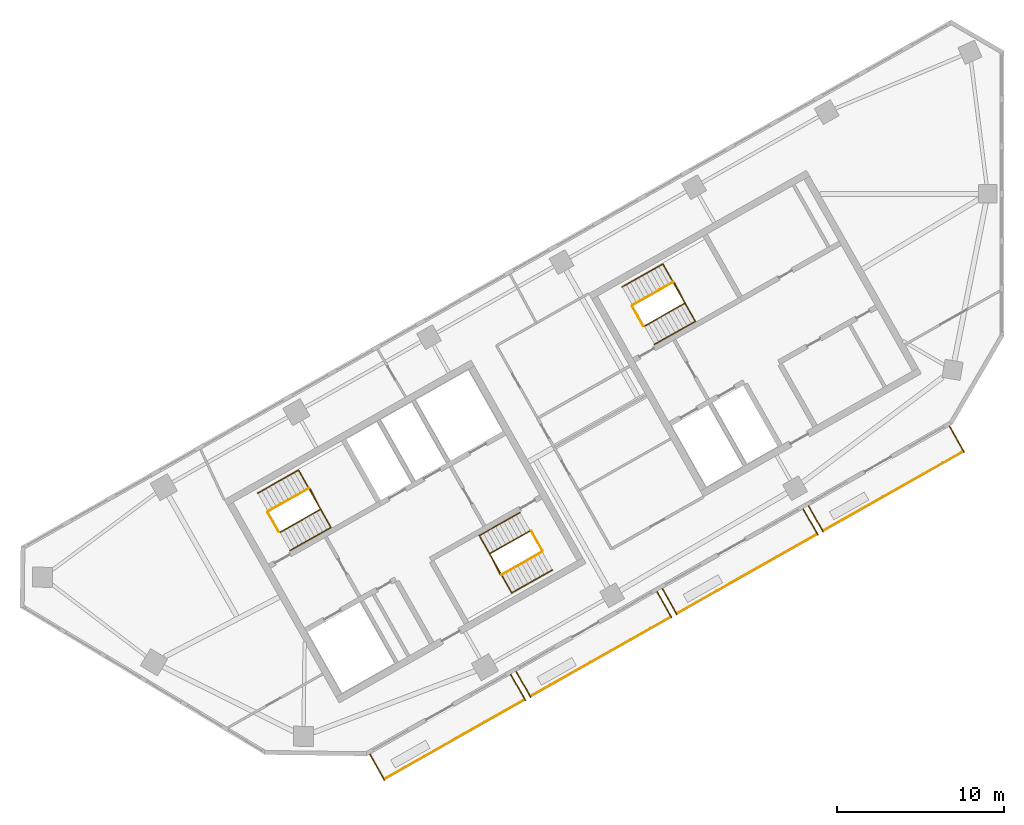
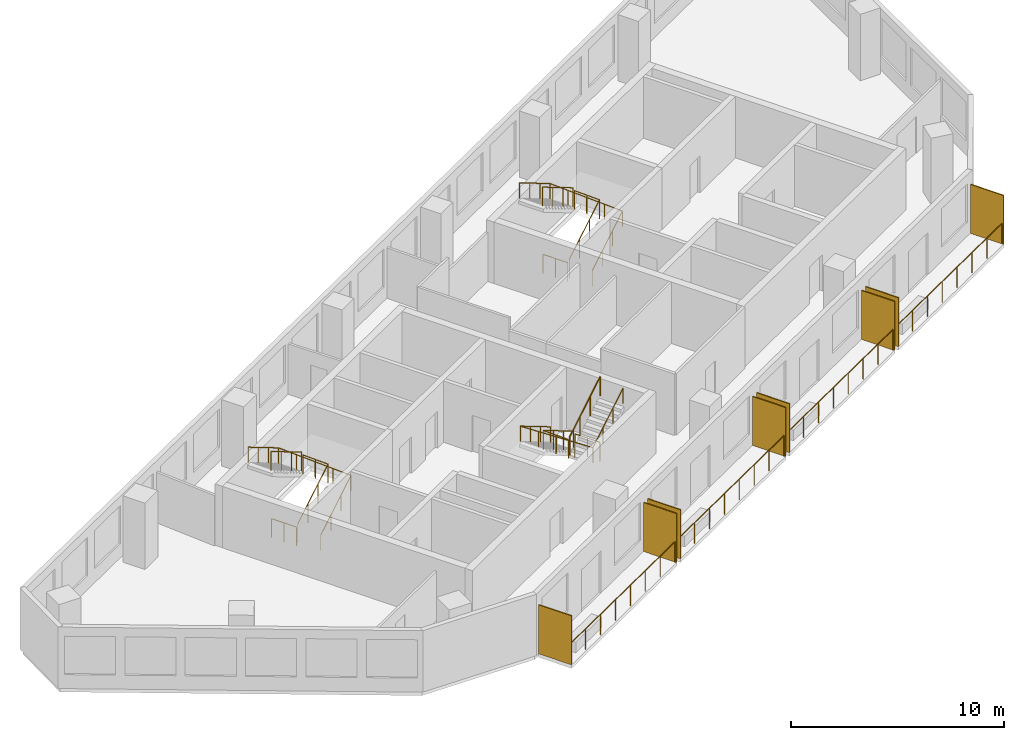
# One storey, part 6 of 7: 16 railings, 8 shading devices.
"""IFC4 building model written with IfcOpenShell, lengths in metres."""

from ifc_helpers import new_model, si_unit, direction, frame, origin, origin_2d, place, context, subcontext, project, spatial, rectangle, circle, extrude, material, layer, layer_set, type_object, element, save


model = new_model("IFC4")

# Units and contexts
model_context = context("Model", 3, precision=1e-05, world=origin(), true_north=direction((0.0, 1.0)))
body_context = subcontext(model_context, "Body", "Model", "MODEL_VIEW")
ifc_project = project(units=[si_unit("LENGTHUNIT", "METRE"), si_unit("AREAUNIT", "SQUARE_METRE"), si_unit("VOLUMEUNIT", "CUBIC_METRE"), si_unit("PLANEANGLEUNIT", "RADIAN"), si_unit("MASSUNIT", "GRAM", prefix="KILO")], contexts=[model_context])

# Site, building, storey
site_placement = place(None, origin())
site = spatial("IfcSite", under=ifc_project, at=site_placement, CompositionType="ELEMENT")
building_placement = place(site_placement, origin())
building = spatial("IfcBuilding", under=site, at=building_placement, Name="Binnacle Exchange Tower", CompositionType="ELEMENT")
storey_placement = place(building_placement, frame((0.0, 0.0, 274.10009765625)))
storey = spatial("IfcBuildingStorey", under=building, at=storey_placement, Name="L61", CompositionType="ELEMENT", Elevation=274.10009765625)

# Railings
ifc_material_1 = material(Name="Bronze anodised aluminium frame", Category="aluminium")
railing_type_1 = type_object("IfcRailingType", Name="GUARD 1200", PredefinedType="GUARDRAIL", material=ifc_material_1)
for number, where, name in (
    (1, (-37.006591796875, 24.94287109375, 0.0), "Balcony guard H07-B00 L61"),
    (2, (-28.24365234375, 29.900634765625, 0.0), "Balcony guard H07-B01 L61"),
):
    element("IfcRailing", number, at=place(storey_placement, frame(where)), inside=storey, type_object=railing_type_1, Name=name, PredefinedType="GUARDRAIL", context=body_context, shape_type="SweptSolid", body=[
        extrude(circle(Radius=0.02392578125, at=origin_2d()), frame((0.0, 0.0, 1.17578125), z_axis=(0.870359171481, 0.492417417055, 0.0), x_axis=(-0.492417417055, 0.870359171481, 0.0)), (0.0, 0.0, 1.0), 9.648193359375),
        extrude(circle(Radius=0.02099609375, at=origin_2d()), origin(), (0.0, 0.0, 1.0), 1.15185546875),
        extrude(circle(Radius=0.02099609375, at=origin_2d()), frame((1.19970703125, 0.6787109375, 0.0)), (0.0, 0.0, 1.0), 1.15185546875),
        extrude(circle(Radius=0.02099609375, at=origin_2d()), frame((2.399169921875, 1.357421875, 0.0)), (0.0, 0.0, 1.0), 1.15185546875),
        extrude(circle(Radius=0.02099609375, at=origin_2d()), frame((3.598876953125, 2.0361328125, 0.0)), (0.0, 0.0, 1.0), 1.15185546875),
        extrude(circle(Radius=0.02099609375, at=origin_2d()), frame((4.798583984375, 2.71484375, 0.0)), (0.0, 0.0, 1.0), 1.15185546875),
        extrude(circle(Radius=0.02099609375, at=origin_2d()), frame((5.998291015625, 3.3935546875, 0.0)), (0.0, 0.0, 1.0), 1.15185546875),
        extrude(circle(Radius=0.02099609375, at=origin_2d()), frame((7.19775390625, 4.072265625, 0.0)), (0.0, 0.0, 1.0), 1.15185546875),
        extrude(circle(Radius=0.02099609375, at=origin_2d()), frame((8.3974609375, 4.7509765625, 0.0)), (0.0, 0.0, 1.0), 1.15185546875),
    ])
railing_1_placement = place(storey_placement, frame((-19.480712890625, 34.8583984375, 0.0)))
element("IfcRailing", 3, at=railing_1_placement, inside=storey, type_object=railing_type_1, Name="Balcony guard H07-B02 L61", PredefinedType="GUARDRAIL", context=body_context, shape_type="SweptSolid", body=[
    extrude(circle(Radius=0.02392578125, at=origin_2d()), frame((0.0, 0.0, 1.17578125), z_axis=(0.870342190373, 0.492447430349, 0.0), x_axis=(-0.492447430349, 0.870342190373, 0.0)), (0.0, 0.0, 1.0), 9.648193359375),
    extrude(circle(Radius=0.02099609375, at=origin_2d()), origin(), (0.0, 0.0, 1.0), 1.15185546875),
    extrude(circle(Radius=0.02099609375, at=origin_2d()), frame((1.19970703125, 0.6787109375, 0.0)), (0.0, 0.0, 1.0), 1.15185546875),
    extrude(circle(Radius=0.02099609375, at=origin_2d()), frame((2.399169921875, 1.357421875, 0.0)), (0.0, 0.0, 1.0), 1.15185546875),
    extrude(circle(Radius=0.02099609375, at=origin_2d()), frame((3.598876953125, 2.0361328125, 0.0)), (0.0, 0.0, 1.0), 1.15185546875),
    extrude(circle(Radius=0.02099609375, at=origin_2d()), frame((4.79833984375, 2.715087890625, 0.0)), (0.0, 0.0, 1.0), 1.15185546875),
    extrude(circle(Radius=0.02099609375, at=origin_2d()), frame((5.998046875, 3.393798828125, 0.0)), (0.0, 0.0, 1.0), 1.15185546875),
    extrude(circle(Radius=0.02099609375, at=origin_2d()), frame((7.197509765625, 4.072509765625, 0.0)), (0.0, 0.0, 1.0), 1.15185546875),
    extrude(circle(Radius=0.02099609375, at=origin_2d()), frame((8.397216796875, 4.751220703125, 0.0)), (0.0, 0.0, 1.0), 1.15185546875),
])
railing_2_placement = place(storey_placement, frame((-10.7177734375, 39.81640625, 0.0)))
element("IfcRailing", 4, at=railing_2_placement, inside=storey, type_object=railing_type_1, Name="Balcony guard H07-B03 L61", PredefinedType="GUARDRAIL", context=body_context, shape_type="SweptSolid", body=[
    extrude(circle(Radius=0.02392578125, at=origin_2d()), frame((0.0, 0.0, 1.17578125), z_axis=(0.870353035673, 0.492428262079, 0.0), x_axis=(-0.492428262079, 0.870353035673, 0.0)), (0.0, 0.0, 1.0), 9.64794921875),
    extrude(circle(Radius=0.02099609375, at=origin_2d()), origin(), (0.0, 0.0, 1.0), 1.15185546875),
    extrude(circle(Radius=0.02099609375, at=origin_2d()), frame((1.19970703125, 0.6787109375, 0.0)), (0.0, 0.0, 1.0), 1.15185546875),
    extrude(circle(Radius=0.02099609375, at=origin_2d()), frame((2.399169921875, 1.357421875, 0.0)), (0.0, 0.0, 1.0), 1.15185546875),
    extrude(circle(Radius=0.02099609375, at=origin_2d()), frame((3.598876953125, 2.0361328125, 0.0)), (0.0, 0.0, 1.0), 1.15185546875),
    extrude(circle(Radius=0.02099609375, at=origin_2d()), frame((4.79833984375, 2.71484375, 0.0)), (0.0, 0.0, 1.0), 1.15185546875),
    extrude(circle(Radius=0.02099609375, at=origin_2d()), frame((5.998046875, 3.3935546875, 0.0)), (0.0, 0.0, 1.0), 1.15185546875),
    extrude(circle(Radius=0.02099609375, at=origin_2d()), frame((7.197509765625, 4.072265625, 0.0)), (0.0, 0.0, 1.0), 1.15185546875),
    extrude(circle(Radius=0.02099609375, at=origin_2d()), frame((8.397216796875, 4.7509765625, 0.0)), (0.0, 0.0, 1.0), 1.15185546875),
])

# Shading devices
ifc_material_2 = material(Name="Bronze aluminium louvre", Category="aluminium")
ifc_layer = layer(ifc_material_2, 0.06005859375)
ifc_layer_set = layer_set([ifc_layer], Name="PLANTED SCREEN 60x2800")
shading_device_type = type_object("IfcShadingDeviceType", Name="PLANTED SCREEN 60x2800", PredefinedType="USERDEFINED", material=ifc_layer_set)
for number, where, z_axis, x_axis, name in (
    (5, (-37.436279296875, 25.641845703125, 0.0), (0.0, 0.0, 1.0), (0.87035569594, 0.492423560103, 0.0), "Planted screen H07-B00a L61"),
    (6, (-28.98681640625, 30.42236328125, 0.0), (0.0, 0.0, 1.0), (0.87035569594, 0.492423560103, 0.0), "Planted screen H07-B00b L61"),
    (7, (-28.673583984375, 30.599609375, 0.0), (0.0, 0.0, 1.0), (0.87035569594, 0.492423560103, 0.0), "Planted screen H07-B01a L61"),
    (8, (-20.223876953125, 35.380126953125, 0.0), (0.0, 0.0, 1.0), (0.87035569594, 0.492423560103, 0.0), "Planted screen H07-B01b L61"),
    (9, (-19.91064453125, 35.5576171875, 0.0), (0.0, 0.0, 1.0), (0.87035569594, 0.492423560103, 0.0), "Planted screen H07-B02a L61"),
    (10, (-11.461181640625, 40.337890625, 0.0), (0.0, 0.0, 1.0), (0.87035569594, 0.492423560103, 0.0), "Planted screen H07-B02b L61"),
    (11, (-11.147705078125, 40.51513671875, 0.0), (0.0, 0.0, 1.0), (0.87035569594, 0.492423560103, 0.0), "Planted screen H07-B03a L61"),
    (12, (-2.697998046875, 45.2958984375, 0.0), (0.0, 0.0, 1.0), (0.87035569594, 0.492423560103, 0.0), "Planted screen H07-B03b L61"),
):
    element("IfcShadingDevice", number, at=place(storey_placement, frame(where, z_axis=z_axis, x_axis=x_axis)), inside=storey, type_object=shading_device_type, Name=name, ObjectType="SCREEN", PredefinedType="USERDEFINED", context=body_context, shape_type="SweptSolid", body=[
        extrude(rectangle(XDim=0.06005859375, YDim=1.800048828125, at=origin_2d()), origin(), (0.0, 0.0, 1.0), 2.800048828125),
    ])

# Railings
ifc_material_3 = material(Name="Steel guard rail", Category="steel")
railing_type_2 = type_object("IfcRailingType", Name="STAIR GUARD 1100", PredefinedType="GUARDRAIL", material=ifc_material_3)
railing_3_placement = place(storey_placement, frame((-43.26171875, 39.71728515625, 0.172607421875)))
element("IfcRailing", 13, at=railing_3_placement, inside=storey, type_object=railing_type_2, Name="L61 STA1 stair guard 1", PredefinedType="GUARDRAIL", context=body_context, shape_type="SweptSolid", body=[
    extrude(circle(Radius=0.02392578125, at=origin_2d()), frame((0.0, 0.0, 1.076171875), z_axis=(0.740737961854, 0.419123222656, 0.525017138862), x_axis=(-0.492453686477, 0.870338650569, 0.0)), (0.0, 0.0, 1.0), 3.2900390625),
    extrude(circle(Radius=0.02392578125, at=origin_2d()), frame((2.43701171875, 1.37890625, 2.80322265625), z_axis=(-0.461100321709, 0.887348011391, 0.0), x_axis=(-0.887348011391, -0.461100321709, 0.0)), (0.0, 0.0, 1.0), 1.40087890625),
    extrude(circle(Radius=0.02099609375, at=origin_2d()), origin(), (0.0, 0.0, 1.0), 1.052001953125),
    extrude(circle(Radius=0.02099609375, at=origin_2d()), frame((0.812255859375, 0.459716796875, 0.57568359375)), (0.0, 0.0, 1.0), 1.052001953125),
    extrude(circle(Radius=0.02099609375, at=origin_2d()), frame((1.624755859375, 0.919189453125, 1.151611328125)), (0.0, 0.0, 1.0), 1.052001953125),
    extrude(circle(Radius=0.02099609375, at=origin_2d()), frame((2.43701171875, 1.37890625, 1.727294921875)), (0.0, 0.0, 1.0), 1.052001953125),
    extrude(circle(Radius=0.02099609375, at=origin_2d()), frame((2.114013671875, 2.00048828125, 1.727294921875)), (0.0, 0.0, 1.0), 1.052001953125),
    extrude(circle(Radius=0.02099609375, at=origin_2d()), frame((1.791015625, 2.6220703125, 1.727294921875)), (0.0, 0.0, 1.0), 1.052001953125),
])
railing_4_placement = place(storey_placement, frame((-41.538818359375, 42.358154296875, 2.072509765625)))
element("IfcRailing", 14, at=railing_4_placement, inside=storey, type_object=railing_type_2, Name="L61 STA1 stair guard 2", PredefinedType="GUARDRAIL", context=body_context, shape_type="SweptSolid", body=[
    extrude(circle(Radius=0.02392578125, at=origin_2d()), frame((0.0, 0.0, 1.076171875), z_axis=(-0.740737961854, -0.419123222656, 0.525017138862), x_axis=(0.492453686477, -0.870338650569, 0.0)), (0.0, 0.0, 1.0), 3.2900390625),
    extrude(circle(Radius=0.02099609375, at=origin_2d()), origin(), (0.0, 0.0, 1.0), 1.052001953125),
    extrude(circle(Radius=0.02099609375, at=origin_2d()), frame((-0.812255859375, -0.459716796875, 0.57568359375)), (0.0, 0.0, 1.0), 1.052001953125),
    extrude(circle(Radius=0.02099609375, at=origin_2d()), frame((-1.624755859375, -0.919189453125, 1.151611328125)), (0.0, 0.0, 1.0), 1.052001953125),
    extrude(circle(Radius=0.02099609375, at=origin_2d()), frame((-2.43701171875, -1.37890625, 1.727294921875)), (0.0, 0.0, 1.0), 1.052001953125),
])
railing_5_placement = place(storey_placement, frame((-43.329833984375, 39.736328125, 0.0)))
element("IfcRailing", 15, at=railing_5_placement, inside=storey, type_object=railing_type_2, Name="L61 STA1 stair guard 3", PredefinedType="GUARDRAIL", context=body_context, shape_type="SweptSolid", body=[
    extrude(circle(Radius=0.02392578125, at=origin_2d()), frame((0.0, 0.0, 1.076171875), z_axis=(-0.4924922531, 0.870316827734, 0.0), x_axis=(-0.870316827734, -0.4924922531, 0.0)), (0.0, 0.0, 1.0), 1.349853515625),
    extrude(circle(Radius=0.02099609375, at=origin_2d()), origin(), (0.0, 0.0, 1.0), 1.052001953125),
    extrude(circle(Radius=0.02099609375, at=origin_2d()), frame((-0.33251953125, 0.58740234375, 0.0)), (0.0, 0.0, 1.0), 1.052001953125),
    extrude(circle(Radius=0.02099609375, at=origin_2d()), frame((-0.664794921875, 1.1748046875, 0.0)), (0.0, 0.0, 1.0), 1.052001953125),
])
railing_6_placement = place(storey_placement, frame((-28.265380859375, 39.814453125, 0.172607421875)))
element("IfcRailing", 16, at=railing_6_placement, inside=storey, type_object=railing_type_2, Name="L61 STA2 stair guard 1", PredefinedType="GUARDRAIL", context=body_context, shape_type="SweptSolid", body=[
    extrude(circle(Radius=0.02392578125, at=origin_2d()), frame((0.0, 0.0, 1.076171875), z_axis=(-0.740760999345, -0.419062048017, 0.525033467278), x_axis=(0.492387636113, -0.870376019777, 0.0)), (0.0, 0.0, 1.0), 3.289794921875),
    extrude(circle(Radius=0.02392578125, at=origin_2d()), frame((-2.43701171875, -1.378662109375, 2.80322265625), z_axis=(0.460963092712, -0.887419307406, 0.0), x_axis=(0.887419307406, 0.460963092712, 0.0)), (0.0, 0.0, 1.0), 1.40087890625),
    extrude(circle(Radius=0.02099609375, at=origin_2d()), origin(), (0.0, 0.0, 1.0), 1.052001953125),
    extrude(circle(Radius=0.02099609375, at=origin_2d()), frame((-0.812255859375, -0.45947265625, 0.57568359375)), (0.0, 0.0, 1.0), 1.052001953125),
    extrude(circle(Radius=0.02099609375, at=origin_2d()), frame((-1.624755859375, -0.919189453125, 1.151611328125)), (0.0, 0.0, 1.0), 1.052001953125),
    extrude(circle(Radius=0.02099609375, at=origin_2d()), frame((-2.43701171875, -1.378662109375, 1.727294921875)), (0.0, 0.0, 1.0), 1.052001953125),
    extrude(circle(Radius=0.02099609375, at=origin_2d()), frame((-2.1142578125, -2.000244140625, 1.727294921875)), (0.0, 0.0, 1.0), 1.052001953125),
    extrude(circle(Radius=0.02099609375, at=origin_2d()), frame((-1.791259765625, -2.621826171875, 1.727294921875)), (0.0, 0.0, 1.0), 1.052001953125),
])
railing_7_placement = place(storey_placement, frame((-29.988525390625, 37.173583984375, 2.072509765625)))
element("IfcRailing", 17, at=railing_7_placement, inside=storey, type_object=railing_type_2, Name="L61 STA2 stair guard 2", PredefinedType="GUARDRAIL", context=body_context, shape_type="SweptSolid", body=[
    extrude(circle(Radius=0.02392578125, at=origin_2d()), frame((0.0, 0.0, 1.076171875), z_axis=(0.740737961854, 0.419123222656, 0.525017138862), x_axis=(-0.492453686477, 0.870338650569, 0.0)), (0.0, 0.0, 1.0), 3.2900390625),
    extrude(circle(Radius=0.02099609375, at=origin_2d()), origin(), (0.0, 0.0, 1.0), 1.052001953125),
    extrude(circle(Radius=0.02099609375, at=origin_2d()), frame((0.812255859375, 0.459716796875, 0.57568359375)), (0.0, 0.0, 1.0), 1.052001953125),
    extrude(circle(Radius=0.02099609375, at=origin_2d()), frame((1.624755859375, 0.919189453125, 1.151611328125)), (0.0, 0.0, 1.0), 1.052001953125),
    extrude(circle(Radius=0.02099609375, at=origin_2d()), frame((2.43701171875, 1.37890625, 1.727294921875)), (0.0, 0.0, 1.0), 1.052001953125),
])
railing_8_placement = place(storey_placement, frame((-28.197265625, 39.795654296875, 0.0)))
element("IfcRailing", 18, at=railing_8_placement, inside=storey, type_object=railing_type_2, Name="L61 STA2 stair guard 3", PredefinedType="GUARDRAIL", context=body_context, shape_type="SweptSolid", body=[
    extrude(circle(Radius=0.02392578125, at=origin_2d()), frame((0.0, 0.0, 1.076171875), z_axis=(0.49241474071, -0.870360685654, 0.0), x_axis=(0.870360685654, 0.49241474071, 0.0)), (0.0, 0.0, 1.0), 1.35009765625),
    extrude(circle(Radius=0.02099609375, at=origin_2d()), origin(), (0.0, 0.0, 1.0), 1.052001953125),
    extrude(circle(Radius=0.02099609375, at=origin_2d()), frame((0.33251953125, -0.58740234375, 0.0)), (0.0, 0.0, 1.0), 1.052001953125),
    extrude(circle(Radius=0.02099609375, at=origin_2d()), frame((0.664794921875, -1.175048828125, 0.0)), (0.0, 0.0, 1.0), 1.052001953125),
])
railing_9_placement = place(storey_placement, frame((-21.423828125, 52.07275390625, 0.172607421875)))
element("IfcRailing", 19, at=railing_9_placement, inside=storey, type_object=railing_type_2, Name="L61 STC1 stair guard 1", PredefinedType="GUARDRAIL", context=body_context, shape_type="SweptSolid", body=[
    extrude(circle(Radius=0.02392578125, at=origin_2d()), frame((0.0, 0.0, 1.076171875), z_axis=(0.740760999345, 0.419062048017, 0.525033467278), x_axis=(-0.492387636113, 0.870376019777, 0.0)), (0.0, 0.0, 1.0), 3.289794921875),
    extrude(circle(Radius=0.02392578125, at=origin_2d()), frame((2.43701171875, 1.378662109375, 2.80322265625), z_axis=(-0.460963092712, 0.887419307406, 0.0), x_axis=(-0.887419307406, -0.460963092712, 0.0)), (0.0, 0.0, 1.0), 1.40087890625),
    extrude(circle(Radius=0.02099609375, at=origin_2d()), origin(), (0.0, 0.0, 1.0), 1.052001953125),
    extrude(circle(Radius=0.02099609375, at=origin_2d()), frame((0.812255859375, 0.45947265625, 0.57568359375)), (0.0, 0.0, 1.0), 1.052001953125),
    extrude(circle(Radius=0.02099609375, at=origin_2d()), frame((1.624755859375, 0.919189453125, 1.151611328125)), (0.0, 0.0, 1.0), 1.052001953125),
    extrude(circle(Radius=0.02099609375, at=origin_2d()), frame((2.43701171875, 1.378662109375, 1.727294921875)), (0.0, 0.0, 1.0), 1.052001953125),
    extrude(circle(Radius=0.02099609375, at=origin_2d()), frame((2.1142578125, 2.000244140625, 1.727294921875)), (0.0, 0.0, 1.0), 1.052001953125),
    extrude(circle(Radius=0.02099609375, at=origin_2d()), frame((1.791259765625, 2.621826171875, 1.727294921875)), (0.0, 0.0, 1.0), 1.052001953125),
])
railing_10_placement = place(storey_placement, frame((-19.70068359375, 54.71337890625, 2.072509765625)))
element("IfcRailing", 20, at=railing_10_placement, inside=storey, type_object=railing_type_2, Name="L61 STC1 stair guard 2", PredefinedType="GUARDRAIL", context=body_context, shape_type="SweptSolid", body=[
    extrude(circle(Radius=0.02392578125, at=origin_2d()), frame((0.0, 0.0, 1.076171875), z_axis=(-0.740760999345, -0.419062048017, 0.525033467278), x_axis=(0.492387636113, -0.870376019777, 0.0)), (0.0, 0.0, 1.0), 3.289794921875),
    extrude(circle(Radius=0.02099609375, at=origin_2d()), origin(), (0.0, 0.0, 1.0), 1.052001953125),
    extrude(circle(Radius=0.02099609375, at=origin_2d()), frame((-0.812255859375, -0.45947265625, 0.57568359375)), (0.0, 0.0, 1.0), 1.052001953125),
    extrude(circle(Radius=0.02099609375, at=origin_2d()), frame((-1.624755859375, -0.919189453125, 1.151611328125)), (0.0, 0.0, 1.0), 1.052001953125),
    extrude(circle(Radius=0.02099609375, at=origin_2d()), frame((-2.43701171875, -1.378662109375, 1.727294921875)), (0.0, 0.0, 1.0), 1.052001953125),
])
railing_11_placement = place(storey_placement, frame((-21.491943359375, 52.091552734375, 0.0)))
element("IfcRailing", 21, at=railing_11_placement, inside=storey, type_object=railing_type_2, Name="L61 STC1 stair guard 3", PredefinedType="GUARDRAIL", context=body_context, shape_type="SweptSolid", body=[
    extrude(circle(Radius=0.02392578125, at=origin_2d()), frame((0.0, 0.0, 1.076171875), z_axis=(-0.49241474071, 0.870360685654, 0.0), x_axis=(-0.870360685654, -0.49241474071, 0.0)), (0.0, 0.0, 1.0), 1.35009765625),
    extrude(circle(Radius=0.02099609375, at=origin_2d()), origin(), (0.0, 0.0, 1.0), 1.052001953125),
    extrude(circle(Radius=0.02099609375, at=origin_2d()), frame((-0.33251953125, 0.58740234375, 0.0)), (0.0, 0.0, 1.0), 1.052001953125),
    extrude(circle(Radius=0.02099609375, at=origin_2d()), frame((-0.664794921875, 1.175048828125, 0.0)), (0.0, 0.0, 1.0), 1.052001953125),
])
ifc_material_4 = material(Name="Steel handrail", Category="steel")
railing_type_3 = type_object("IfcRailingType", Name="STAIR HANDRAIL 900", PredefinedType="HANDRAIL", material=ifc_material_4)
railing_12_placement = place(storey_placement, frame((-42.646240234375, 38.62939453125, 0.172607421875)))
element("IfcRailing", 22, at=railing_12_placement, inside=storey, type_object=railing_type_3, Name="L61 STA1 stair handrail 1", PredefinedType="HANDRAIL", context=body_context, shape_type="SweptSolid", body=[
    extrude(circle(Radius=0.02392578125, at=origin_2d()), frame((0.0, 0.0, 0.8759765625), z_axis=(0.740760999345, 0.419062048017, 0.525033467278), x_axis=(-0.492387636113, 0.870376019777, 0.0)), (0.0, 0.0, 1.0), 3.289794921875),
    extrude(circle(Radius=0.02392578125, at=origin_2d()), frame((2.43701171875, 1.378662109375, 2.60302734375), z_axis=(-0.491944173491, 0.869531549026, 0.043655645871), x_axis=(-0.870361318571, -0.492413622004, 0.0)), (0.0, 0.0, 1.0), 3.953857421875),
    extrude(circle(Radius=0.02392578125, at=origin_2d()), frame((0.491943359375, 4.816650390625, 2.77587890625), z_axis=(-0.740760999345, -0.419062048017, 0.525033467278), x_axis=(0.492387636113, -0.870376019777, 0.0)), (0.0, 0.0, 1.0), 3.289794921875),
    extrude(circle(Radius=0.02099609375, at=origin_2d()), origin(), (0.0, 0.0, 1.0), 0.851806640625),
    extrude(circle(Radius=0.02099609375, at=origin_2d()), frame((0.812255859375, 0.45947265625, 0.57568359375)), (0.0, 0.0, 1.0), 0.851806640625),
    extrude(circle(Radius=0.02099609375, at=origin_2d()), frame((1.624755859375, 0.919189453125, 1.151611328125)), (0.0, 0.0, 1.0), 0.851806640625),
    extrude(circle(Radius=0.02099609375, at=origin_2d()), frame((2.43701171875, 1.378662109375, 1.727294921875)), (0.0, 0.0, 1.0), 0.851806640625),
    extrude(circle(Radius=0.02099609375, at=origin_2d()), frame((1.95068359375, 2.23828125, 1.7705078125)), (0.0, 0.0, 1.0), 0.851806640625),
    extrude(circle(Radius=0.02099609375, at=origin_2d()), frame((1.46435546875, 3.09765625, 1.8134765625)), (0.0, 0.0, 1.0), 0.851806640625),
    extrude(circle(Radius=0.02099609375, at=origin_2d()), frame((0.978271484375, 3.95703125, 1.856689453125)), (0.0, 0.0, 1.0), 0.851806640625),
    extrude(circle(Radius=0.02099609375, at=origin_2d()), frame((0.491943359375, 4.816650390625, 1.89990234375)), (0.0, 0.0, 1.0), 0.851806640625),
    extrude(circle(Radius=0.02099609375, at=origin_2d()), frame((-0.3203125, 4.357177734375, 2.4755859375)), (0.0, 0.0, 1.0), 0.851806640625),
    extrude(circle(Radius=0.02099609375, at=origin_2d()), frame((-1.1328125, 3.8974609375, 3.051513671875)), (0.0, 0.0, 1.0), 0.851806640625),
    extrude(circle(Radius=0.02099609375, at=origin_2d()), frame((-1.945068359375, 3.43798828125, 3.627197265625)), (0.0, 0.0, 1.0), 0.851806640625),
])
railing_13_placement = place(storey_placement, frame((-28.880859375, 40.90234375, 0.172607421875)))
element("IfcRailing", 23, at=railing_13_placement, inside=storey, type_object=railing_type_3, Name="L61 STA2 stair handrail 1", PredefinedType="HANDRAIL", context=body_context, shape_type="SweptSolid", body=[
    extrude(circle(Radius=0.02392578125, at=origin_2d()), frame((0.0, 0.0, 0.8759765625), z_axis=(-0.740760999345, -0.419062048017, 0.525033467278), x_axis=(0.492387636113, -0.870376019777, 0.0)), (0.0, 0.0, 1.0), 3.289794921875),
    extrude(circle(Radius=0.02392578125, at=origin_2d()), frame((-2.43701171875, -1.378662109375, 2.60302734375), z_axis=(0.491944173491, -0.869531549026, 0.043655645871), x_axis=(0.870361318571, 0.492413622004, 0.0)), (0.0, 0.0, 1.0), 3.953857421875),
    extrude(circle(Radius=0.02392578125, at=origin_2d()), frame((-0.491943359375, -4.816650390625, 2.77587890625), z_axis=(0.740737961854, 0.419123222656, 0.525017138862), x_axis=(-0.492453686477, 0.870338650569, 0.0)), (0.0, 0.0, 1.0), 3.2900390625),
    extrude(circle(Radius=0.02099609375, at=origin_2d()), origin(), (0.0, 0.0, 1.0), 0.851806640625),
    extrude(circle(Radius=0.02099609375, at=origin_2d()), frame((-0.812255859375, -0.45947265625, 0.57568359375)), (0.0, 0.0, 1.0), 0.851806640625),
    extrude(circle(Radius=0.02099609375, at=origin_2d()), frame((-1.624755859375, -0.919189453125, 1.151611328125)), (0.0, 0.0, 1.0), 0.851806640625),
    extrude(circle(Radius=0.02099609375, at=origin_2d()), frame((-2.43701171875, -1.378662109375, 1.727294921875)), (0.0, 0.0, 1.0), 0.851806640625),
    extrude(circle(Radius=0.02099609375, at=origin_2d()), frame((-1.95068359375, -2.23828125, 1.7705078125)), (0.0, 0.0, 1.0), 0.851806640625),
    extrude(circle(Radius=0.02099609375, at=origin_2d()), frame((-1.46435546875, -3.09765625, 1.8134765625)), (0.0, 0.0, 1.0), 0.851806640625),
    extrude(circle(Radius=0.02099609375, at=origin_2d()), frame((-0.978271484375, -3.95703125, 1.856689453125)), (0.0, 0.0, 1.0), 0.851806640625),
    extrude(circle(Radius=0.02099609375, at=origin_2d()), frame((-0.491943359375, -4.816650390625, 1.89990234375)), (0.0, 0.0, 1.0), 0.851806640625),
    extrude(circle(Radius=0.02099609375, at=origin_2d()), frame((0.3203125, -4.35693359375, 2.4755859375)), (0.0, 0.0, 1.0), 0.851806640625),
    extrude(circle(Radius=0.02099609375, at=origin_2d()), frame((1.1328125, -3.8974609375, 3.051513671875)), (0.0, 0.0, 1.0), 0.851806640625),
    extrude(circle(Radius=0.02099609375, at=origin_2d()), frame((1.945068359375, -3.437744140625, 3.627197265625)), (0.0, 0.0, 1.0), 0.851806640625),
])
railing_14_placement = place(storey_placement, frame((-20.808349609375, 50.984619140625, 0.172607421875)))
element("IfcRailing", 24, at=railing_14_placement, inside=storey, type_object=railing_type_3, Name="L61 STC1 stair handrail 1", PredefinedType="HANDRAIL", context=body_context, shape_type="SweptSolid", body=[
    extrude(circle(Radius=0.02392578125, at=origin_2d()), frame((0.0, 0.0, 0.8759765625), z_axis=(0.740737961854, 0.419123222656, 0.525017138862), x_axis=(-0.492453686477, 0.870338650569, 0.0)), (0.0, 0.0, 1.0), 3.2900390625),
    extrude(circle(Radius=0.02392578125, at=origin_2d()), frame((2.43701171875, 1.37890625, 2.60302734375), z_axis=(-0.49197058795, 0.869516486623, 0.043657989918), x_axis=(-0.87034633103, -0.492440112159, 0.0)), (0.0, 0.0, 1.0), 3.95361328125),
    extrude(circle(Radius=0.02392578125, at=origin_2d()), frame((0.491943359375, 4.816650390625, 2.77587890625), z_axis=(-0.740760999345, -0.419062048017, 0.525033467278), x_axis=(0.492387636113, -0.870376019777, 0.0)), (0.0, 0.0, 1.0), 3.289794921875),
    extrude(circle(Radius=0.02099609375, at=origin_2d()), origin(), (0.0, 0.0, 1.0), 0.851806640625),
    extrude(circle(Radius=0.02099609375, at=origin_2d()), frame((0.812255859375, 0.459716796875, 0.57568359375)), (0.0, 0.0, 1.0), 0.851806640625),
    extrude(circle(Radius=0.02099609375, at=origin_2d()), frame((1.624755859375, 0.919189453125, 1.151611328125)), (0.0, 0.0, 1.0), 0.851806640625),
    extrude(circle(Radius=0.02099609375, at=origin_2d()), frame((2.43701171875, 1.37890625, 1.727294921875)), (0.0, 0.0, 1.0), 0.851806640625),
    extrude(circle(Radius=0.02099609375, at=origin_2d()), frame((1.95068359375, 2.23828125, 1.7705078125)), (0.0, 0.0, 1.0), 0.851806640625),
    extrude(circle(Radius=0.02099609375, at=origin_2d()), frame((1.46435546875, 3.09765625, 1.8134765625)), (0.0, 0.0, 1.0), 0.851806640625),
    extrude(circle(Radius=0.02099609375, at=origin_2d()), frame((0.978271484375, 3.957275390625, 1.856689453125)), (0.0, 0.0, 1.0), 0.851806640625),
    extrude(circle(Radius=0.02099609375, at=origin_2d()), frame((0.491943359375, 4.816650390625, 1.89990234375)), (0.0, 0.0, 1.0), 0.851806640625),
    extrude(circle(Radius=0.02099609375, at=origin_2d()), frame((-0.3203125, 4.357177734375, 2.4755859375)), (0.0, 0.0, 1.0), 0.851806640625),
    extrude(circle(Radius=0.02099609375, at=origin_2d()), frame((-1.1328125, 3.8974609375, 3.051513671875)), (0.0, 0.0, 1.0), 0.851806640625),
    extrude(circle(Radius=0.02099609375, at=origin_2d()), frame((-1.945068359375, 3.43798828125, 3.627197265625)), (0.0, 0.0, 1.0), 0.851806640625),
])

save(model, "model.ifc")
